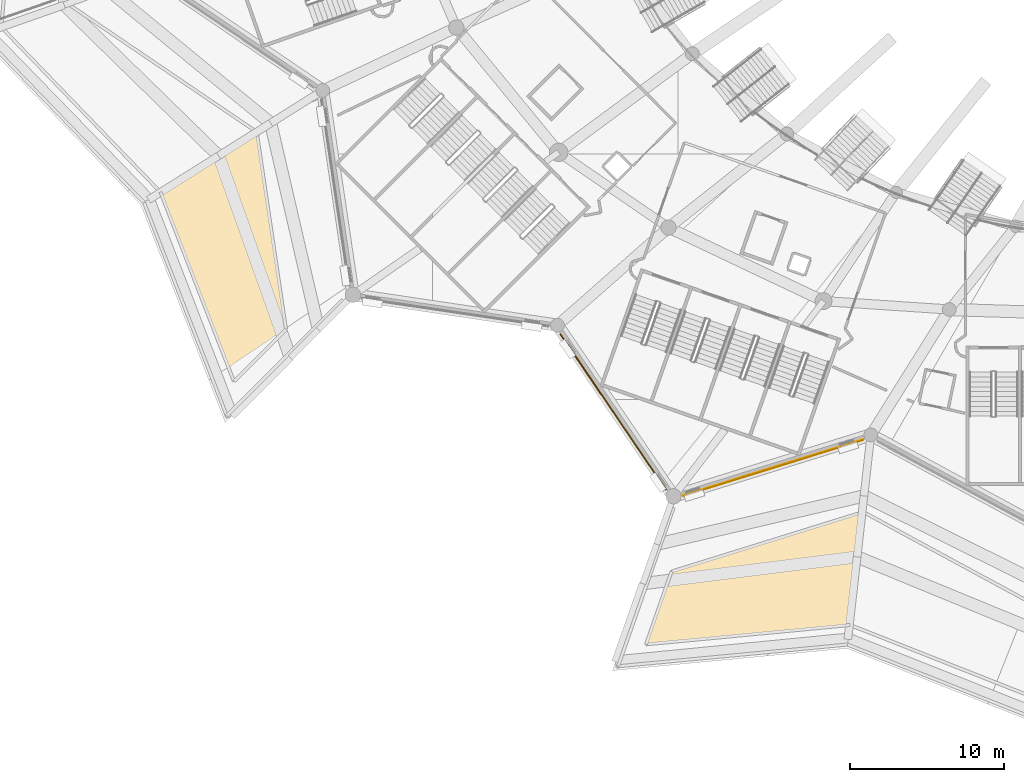
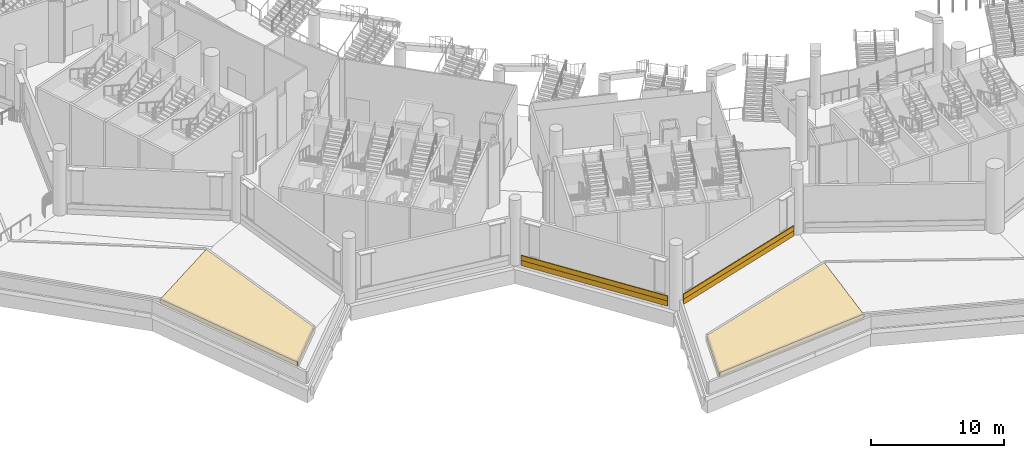
# One storey, part 107 of 173: 6 coverings.
"""IFC4 building model written with IfcOpenShell, lengths in metres."""

from ifc_helpers import new_model, si_unit, direction, frame, origin, origin_2d, place, context, subcontext, project, spatial, polyline, rectangle, outline, extrude, material, layer, layer_set, type_object, element, save


model = new_model("IFC4")

# Units and contexts
model_context = context("Model", 3, precision=1e-05, world=origin(), true_north=direction((0.0, 1.0)))
body_context = subcontext(model_context, "Body", "Model", "MODEL_VIEW")
ifc_project = project(units=[si_unit("LENGTHUNIT", "METRE"), si_unit("AREAUNIT", "SQUARE_METRE"), si_unit("VOLUMEUNIT", "CUBIC_METRE"), si_unit("PLANEANGLEUNIT", "RADIAN"), si_unit("MASSUNIT", "GRAM", prefix="KILO")], contexts=[model_context])

# Site, building, storey
site_placement = place(None, origin())
site = spatial("IfcSite", under=ifc_project, at=site_placement, CompositionType="ELEMENT")
building_placement = place(site_placement, origin())
building = spatial("IfcBuilding", under=site, at=building_placement, Name="Meseta Stadium", CompositionType="ELEMENT")
storey_placement = place(building_placement, frame((0.0, 0.0, 18.0)))
storey = spatial("IfcBuildingStorey", under=building, at=storey_placement, Name="L03", CompositionType="ELEMENT", Elevation=18.0)

# Coverings
ifc_material_1 = material(Name="Guadarrama granite cladding", Category="masonry")
ifc_layer_1 = layer(ifc_material_1, 0.06005859375)
ifc_layer_set_1 = layer_set([ifc_layer_1], Name="Granite plinth cladding 60")
covering_type_1 = type_object("IfcCoveringType", Name="Granite plinth cladding 60", PredefinedType="CLADDING", material=ifc_layer_set_1)
for number, where, z_axis, x_axis, name in (
    (1, (-68.219482421875, -96.787353515625, 0.0), (0.0, 0.0, 1.0), (-0.561489943314, 0.827483560898, 0.0), "Granite plinth L03 F41"),
    (2, (-57.799560546875, -100.433349609375, 0.0), (0.0, 0.0, 1.0), (-0.954918446294, -0.29686825517, 0.0), "Granite plinth L03 F42"),
):
    element("IfcCovering", number, at=place(storey_placement, frame(where, z_axis=z_axis, x_axis=x_axis)), inside=storey, type_object=covering_type_1, Name=name, PredefinedType="CLADDING", context=body_context, shape_type="SweptSolid", body=[
        extrude(rectangle(XDim=12.273193359375, YDim=0.06005859375, at=origin_2d()), origin(), (0.0, 0.0, 1.0), 0.5),
    ])
ifc_material_2 = material(Name="Planting soil")
ifc_layer_2 = layer(ifc_material_2, 0.449951171875)
ifc_layer_set_2 = layer_set([ifc_layer_2], Name="Planting soil 450")
covering_type_2 = type_object("IfcCoveringType", Name="Planting soil 450", PredefinedType="FLOORING", material=ifc_layer_set_2)
covering_1_placement = place(storey_placement, origin())
element("IfcCovering", 3, at=covering_1_placement, inside=storey, type_object=covering_type_2, Name="Roof garden planting bed 5.1 panel 06", PredefinedType="FLOORING", context=body_context, shape_type="SweptSolid", body=[
    extrude(outline(polyline([(-91.45068359375, -78.55859375), (-97.711181640625, -82.492431640625), (-92.931396484375, -94.81005859375), (-89.541259765625, -91.419921875), (-91.45068359375, -78.55859375)])), origin(), (0.0, 0.0, 1.0), 0.449951171875),
])
covering_2_placement = place(storey_placement, origin())
element("IfcCovering", 4, at=covering_2_placement, inside=storey, type_object=covering_type_2, Name="Roof garden planting bed 6.1 panel 01", PredefinedType="FLOORING", context=body_context, shape_type="SweptSolid", body=[
    extrude(outline(polyline([(-66.084228515625, -111.93896484375), (-52.83740234375, -110.683349609375), (-52.010009765625, -103.3408203125), (-64.42626953125, -107.20068359375), (-66.084228515625, -111.93896484375)])), origin(), (0.0, 0.0, 1.0), 0.449951171875),
])
ifc_material_3 = material(Name="Precast concrete C40/50, terracotta pigment", Category="masonry")
ifc_layer_3 = layer(ifc_material_3, 0.080078125)
ifc_layer_set_3 = layer_set([ifc_layer_3], Name="Precast concrete C40/50, terracotta pigment")
covering_type_3 = type_object("IfcCoveringType", Name="Terracotta precast band 80", PredefinedType="CLADDING", material=ifc_layer_set_3)
for number, where, z_axis, x_axis, name in (
    (5, (-68.227783203125, -96.79296875, 0.5), (0.0, 0.0, 1.0), (-0.561489943314, 0.827483560898, 0.0), "Terracotta band L03 F41"),
    (6, (-57.796630859375, -100.44287109375, 0.5), (0.0, 0.0, 1.0), (-0.954918446294, -0.29686825517, 0.0), "Terracotta band L03 F42"),
):
    element("IfcCovering", number, at=place(storey_placement, frame(where, z_axis=z_axis, x_axis=x_axis)), inside=storey, type_object=covering_type_3, Name=name, PredefinedType="CLADDING", context=body_context, shape_type="SweptSolid", body=[
        extrude(rectangle(XDim=12.273193359375, YDim=0.080078125, at=origin_2d()), origin(), (0.0, 0.0, 1.0), 0.449951171875),
    ])

save(model, "model.ifc")
